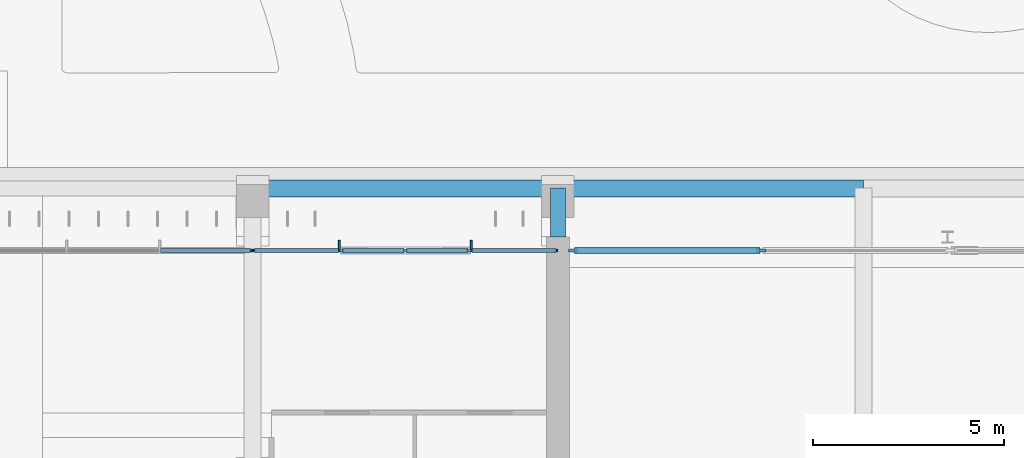
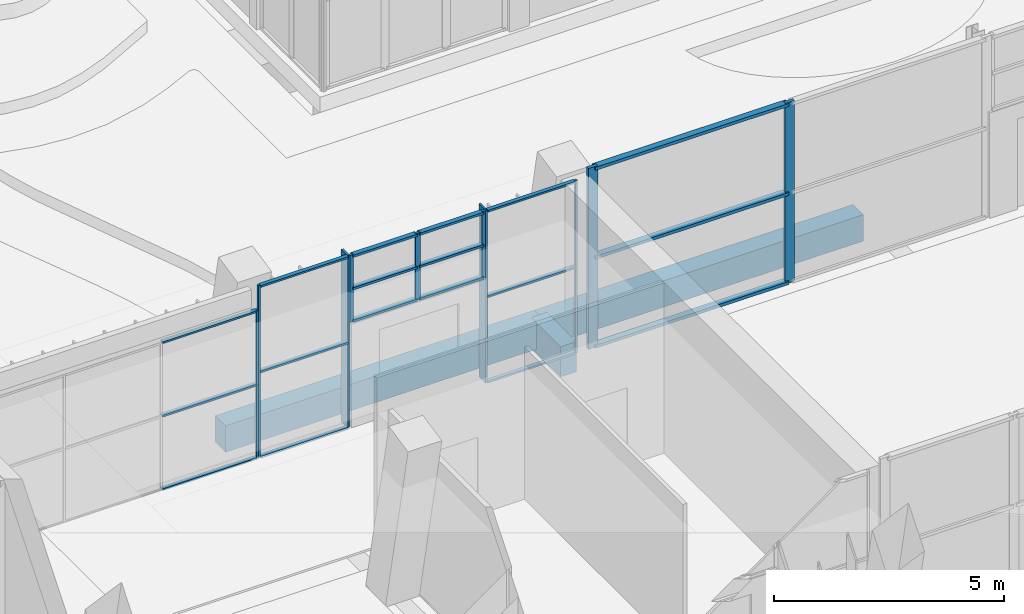
# One storey, part 52 of 144: 28 members, 3 beams, 5 elements without a shape of their own.
"""IFC4 building model written with IfcOpenShell, lengths in metres."""

from ifc_helpers import new_model, si_unit, direction, frame, origin, origin_2d, place, context, subcontext, project, spatial, rectangle, extrude, material, material_profile, profile_set, type_object, element, aggregate, save


model = new_model("IFC4")

# Units and contexts
model_context = context("Model", 3, precision=1e-05, world=origin(), true_north=direction((0.0, 1.0)))
body_context = subcontext(model_context, "Body", "Model", "MODEL_VIEW")
ifc_project = project(units=[si_unit("LENGTHUNIT", "METRE"), si_unit("AREAUNIT", "SQUARE_METRE"), si_unit("VOLUMEUNIT", "CUBIC_METRE"), si_unit("PLANEANGLEUNIT", "RADIAN"), si_unit("MASSUNIT", "GRAM", prefix="KILO")], contexts=[model_context])

# Site, building, storey
site_placement = place(None, origin())
site = spatial("IfcSite", under=ifc_project, at=site_placement, CompositionType="ELEMENT")
building_placement = place(site_placement, origin())
building = spatial("IfcBuilding", under=site, at=building_placement, Name="Lantern Court Media Centre", CompositionType="ELEMENT")
storey_placement = place(building_placement, origin())
storey = spatial("IfcBuildingStorey", under=building, at=storey_placement, Name="L00", CompositionType="ELEMENT", Elevation=0.0)

# Curtain wall, member
ifc_material_1 = material(Name="Curtain wall bay 2400")
curtain_wall_type_1 = type_object("IfcCurtainWallType", Name="Curtain wall bay 2400", PredefinedType="NOTDEFINED", material=ifc_material_1)
curtain_wall_1_placement = place(storey_placement, origin())
curtain_wall_1 = element("IfcCurtainWall", 1, at=curtain_wall_1_placement, inside=storey, type_object=curtain_wall_type_1, Name="Curtain wall S inner L00", PredefinedType="NOTDEFINED")
ifc_material_2 = material(Name="Anodised aluminium", Category="aluminium")
ifc_material_profile_1 = material_profile(ifc_material_2, rectangle(XDim=0.300048828125, YDim=0.050048828125, at=origin_2d()), Name="AL 50x300")
ifc_profile_set_1 = profile_set([ifc_material_profile_1], Name="Anodised aluminium")
member_type_1 = type_object("IfcMemberType", Name="Curtain wall mullion 50x300", PredefinedType="MULLION", material=ifc_profile_set_1)
member_1_placement = place(storey_placement, frame((34.27490234375, 61.969970703125, 0.0), z_axis=(0.0, 0.0, 1.0), x_axis=(0.0, 1.0, 0.0)))
member_1 = element("IfcMember", 2, at=member_1_placement, type_object=member_type_1, Name="CW2 mullion 2", PredefinedType="MULLION", context=body_context, shape_type="SweptSolid", body=[
    extrude(rectangle(XDim=0.300048828125, YDim=0.050048828125, at=origin_2d()), origin(), (0.0, 0.0, 1.0), 4.580078125),
])

curtain_wall_2_placement = place(storey_placement, origin())
curtain_wall_2 = element("IfcCurtainWall", 3, at=curtain_wall_2_placement, inside=storey, type_object=curtain_wall_type_1, Name="Curtain wall S inner L00", PredefinedType="NOTDEFINED")
member_2_placement = place(storey_placement, frame((37.72509765625, 61.969970703125, 0.0), z_axis=(0.0, 0.0, 1.0), x_axis=(0.0, 1.0, 0.0)))
member_2 = element("IfcMember", 4, at=member_2_placement, type_object=member_type_1, Name="CW2 mullion 1", PredefinedType="MULLION", context=body_context, shape_type="SweptSolid", body=[
    extrude(rectangle(XDim=0.300048828125, YDim=0.050048828125, at=origin_2d()), origin(), (0.0, 0.0, 1.0), 4.580078125),
])

curtain_wall_3_placement = place(storey_placement, origin())
curtain_wall_3 = element("IfcCurtainWall", 5, at=curtain_wall_3_placement, inside=storey, type_object=curtain_wall_type_1, Name="Curtain wall S inner L00", PredefinedType="NOTDEFINED")
ifc_material_profile_2 = material_profile(ifc_material_2, rectangle(XDim=0.06005859375, YDim=0.050048828125, at=origin_2d()), Name="AL 50x60")
ifc_profile_set_2 = profile_set([ifc_material_profile_2], Name="Anodised aluminium")
member_type_2 = type_object("IfcMemberType", Name="Curtain wall mullion 50x60", PredefinedType="MULLION", material=ifc_profile_set_2)
member_3_placement = place(storey_placement, frame((31.97509765625, 61.85009765625, 0.0), z_axis=(0.0, 0.0, 1.0), x_axis=(0.0, 1.0, 0.0)))
member_3 = element("IfcMember", 6, at=member_3_placement, type_object=member_type_2, Name="CW2 mullion 4", PredefinedType="MULLION", context=body_context, shape_type="SweptSolid", body=[
    extrude(rectangle(XDim=0.06005859375, YDim=0.050048828125, at=origin_2d()), origin(), (0.0, 0.0, 1.0), 3.949951171875),
])

# Member
member_4_placement = place(storey_placement, frame((32.02490234375, 61.85009765625, 0.0), z_axis=(0.0, 0.0, 1.0), x_axis=(0.0, 1.0, 0.0)))
member_4 = element("IfcMember", 7, at=member_4_placement, type_object=member_type_2, Name="CW2 mullion 1", PredefinedType="MULLION", context=body_context, shape_type="SweptSolid", body=[
    extrude(rectangle(XDim=0.06005859375, YDim=0.050048828125, at=origin_2d()), origin(), (0.0, 0.0, 1.0), 4.580078125),
])

member_5_placement = place(storey_placement, frame((39.97509765625, 61.85009765625, 0.0), z_axis=(0.0, 0.0, 1.0), x_axis=(0.0, 1.0, 0.0)))
member_5 = element("IfcMember", 8, at=member_5_placement, type_object=member_type_2, Name="CW2 mullion 2", PredefinedType="MULLION", context=body_context, shape_type="SweptSolid", body=[
    extrude(rectangle(XDim=0.06005859375, YDim=0.050048828125, at=origin_2d()), origin(), (0.0, 0.0, 1.0), 4.580078125),
])

# Curtain wall, members
ifc_material_3 = material(Name="Curtain wall bay 1700")
curtain_wall_type_2 = type_object("IfcCurtainWallType", Name="Curtain wall bay 1700", PredefinedType="NOTDEFINED", material=ifc_material_3)
curtain_wall_4_placement = place(storey_placement, origin())
curtain_wall_4 = element("IfcCurtainWall", 9, at=curtain_wall_4_placement, inside=storey, type_object=curtain_wall_type_2, Name="Curtain wall S inner L00", PredefinedType="NOTDEFINED")
ifc_material_profile_3 = material_profile(ifc_material_2, rectangle(XDim=0.06005859375, YDim=0.1201171875, at=origin_2d()), Name="AL 60x120")
ifc_profile_set_3 = profile_set([ifc_material_profile_3], Name="Anodised aluminium")
member_type_3 = type_object("IfcMemberType", Name="Curtain wall mullion 60x120", PredefinedType="MULLION", material=ifc_profile_set_3)
member_6_placement = place(storey_placement, frame((34.330078125, 61.85009765625, 2.800048828125), z_axis=(0.0, 0.0, 1.0), x_axis=(0.0, 1.0, 0.0)))
member_6 = element("IfcMember", 10, at=member_6_placement, type_object=member_type_3, Name="CW4 mullion 1", PredefinedType="MULLION", context=body_context, shape_type="SweptSolid", body=[
    extrude(rectangle(XDim=0.06005859375, YDim=0.1201171875, at=origin_2d()), origin(), (0.0, 0.0, 1.0), 1.780029296875),
])
member_7_placement = place(storey_placement, frame((36.0, 61.85009765625, 2.800048828125), z_axis=(0.0, 0.0, 1.0), x_axis=(0.0, 1.0, 0.0)))
member_7 = element("IfcMember", 11, at=member_7_placement, type_object=member_type_3, Name="CW4 mullion 2", PredefinedType="MULLION", context=body_context, shape_type="SweptSolid", body=[
    extrude(rectangle(XDim=0.06005859375, YDim=0.1201171875, at=origin_2d()), origin(), (0.0, 0.0, 1.0), 1.780029296875),
])
member_8_placement = place(storey_placement, frame((37.669921875, 61.85009765625, 2.800048828125), z_axis=(0.0, 0.0, 1.0), x_axis=(0.0, 1.0, 0.0)))
member_8 = element("IfcMember", 12, at=member_8_placement, type_object=member_type_3, Name="CW4 mullion 3", PredefinedType="MULLION", context=body_context, shape_type="SweptSolid", body=[
    extrude(rectangle(XDim=0.06005859375, YDim=0.1201171875, at=origin_2d()), origin(), (0.0, 0.0, 1.0), 1.780029296875),
])

ifc_material_4 = material(Name="Curtain wall bay 4000")
curtain_wall_type_3 = type_object("IfcCurtainWallType", Name="Curtain wall bay 4000", PredefinedType="NOTDEFINED", material=ifc_material_4)
curtain_wall_5_placement = place(storey_placement, origin())
curtain_wall_5 = element("IfcCurtainWall", 13, at=curtain_wall_5_placement, inside=storey, type_object=curtain_wall_type_3, Name="Curtain wall S inner L00", PredefinedType="NOTDEFINED")
ifc_material_profile_4 = material_profile(ifc_material_2, rectangle(XDim=0.080078125, YDim=0.239990234375, at=origin_2d()), Name="AL 80x240")
ifc_profile_set_4 = profile_set([ifc_material_profile_4], Name="Anodised aluminium")
member_type_4 = type_object("IfcMemberType", Name="Curtain wall mullion 80x240", PredefinedType="MULLION", material=ifc_profile_set_4)
member_9_placement = place(storey_placement, frame((40.389892578125, 61.85009765625, 0.0), z_axis=(0.0, 0.0, 1.0), x_axis=(0.0, 1.0, 0.0)))
member_9 = element("IfcMember", 14, at=member_9_placement, type_object=member_type_4, Name="CW3 mullion 1", PredefinedType="MULLION", context=body_context, shape_type="SweptSolid", body=[
    extrude(rectangle(XDim=0.080078125, YDim=0.239990234375, at=origin_2d()), origin(), (0.0, 0.0, 1.0), 4.800048828125),
])
member_10_placement = place(storey_placement, frame((45.324951171875, 61.85009765625, 0.0), z_axis=(0.0, 0.0, 1.0), x_axis=(0.0, 1.0, 0.0)))
member_10 = element("IfcMember", 15, at=member_10_placement, type_object=member_type_4, Name="CW3 mullion 2", PredefinedType="MULLION", context=body_context, shape_type="SweptSolid", body=[
    extrude(rectangle(XDim=0.080078125, YDim=0.239990234375, at=origin_2d()), origin(), (0.0, 0.0, 1.0), 4.800048828125),
])

# Member
ifc_material_profile_5 = material_profile(ifc_material_2, rectangle(XDim=0.10009765625, YDim=0.050048828125, at=origin_2d()), Name="AL 50x100")
ifc_profile_set_5 = profile_set([ifc_material_profile_5], Name="Anodised aluminium")
member_type_5 = type_object("IfcMemberType", Name="Curtain wall transom 100x50", PredefinedType="USERDEFINED", material=ifc_profile_set_5)
member_11_placement = place(storey_placement, frame((29.591552734375, 61.85009765625, 0.02490234375), z_axis=(1.0, 0.0, 0.0), x_axis=(0.0, 1.0, 0.0)))
member_11 = element("IfcMember", 16, at=member_11_placement, type_object=member_type_5, Name="CW2 transom 3.1", ObjectType="TRANSOM", PredefinedType="USERDEFINED", context=body_context, shape_type="SweptSolid", body=[
    extrude(rectangle(XDim=0.10009765625, YDim=0.050048828125, at=origin_2d()), origin(), (0.0, 0.0, 1.0), 2.3583984375),
])

member_12_placement = place(storey_placement, frame((29.591552734375, 61.85009765625, 1.97509765625), z_axis=(1.0, 0.0, 0.0), x_axis=(0.0, 1.0, 0.0)))
member_12 = element("IfcMember", 17, at=member_12_placement, type_object=member_type_5, Name="CW2 transom 3.2", ObjectType="TRANSOM", PredefinedType="USERDEFINED", context=body_context, shape_type="SweptSolid", body=[
    extrude(rectangle(XDim=0.10009765625, YDim=0.050048828125, at=origin_2d()), origin(), (0.0, 0.0, 1.0), 2.3583984375),
])

member_13_placement = place(storey_placement, frame((29.591552734375, 61.85009765625, 3.925048828125), z_axis=(1.0, 0.0, 0.0), x_axis=(0.0, 1.0, 0.0)))
member_13 = element("IfcMember", 18, at=member_13_placement, type_object=member_type_5, Name="CW2 transom 3.3", ObjectType="TRANSOM", PredefinedType="USERDEFINED", context=body_context, shape_type="SweptSolid", body=[
    extrude(rectangle(XDim=0.10009765625, YDim=0.050048828125, at=origin_2d()), origin(), (0.0, 0.0, 1.0), 2.3583984375),
])

aggregate(curtain_wall_3, [member_3, member_11, member_12, member_13])

member_14_placement = place(storey_placement, frame((32.050048828125, 61.85009765625, 0.02490234375), z_axis=(1.0, 0.0, 0.0), x_axis=(0.0, 1.0, 0.0)))
member_14 = element("IfcMember", 19, at=member_14_placement, type_object=member_type_5, Name="CW2 transom 1.1", ObjectType="TRANSOM", PredefinedType="USERDEFINED", context=body_context, shape_type="SweptSolid", body=[
    extrude(rectangle(XDim=0.10009765625, YDim=0.050048828125, at=origin_2d()), origin(), (0.0, 0.0, 1.0), 2.199951171875),
])

member_15_placement = place(storey_placement, frame((32.050048828125, 61.85009765625, 2.2900390625), z_axis=(1.0, 0.0, 0.0), x_axis=(0.0, 1.0, 0.0)))
member_15 = element("IfcMember", 20, at=member_15_placement, type_object=member_type_5, Name="CW2 transom 1.2", ObjectType="TRANSOM", PredefinedType="USERDEFINED", context=body_context, shape_type="SweptSolid", body=[
    extrude(rectangle(XDim=0.10009765625, YDim=0.050048828125, at=origin_2d()), origin(), (0.0, 0.0, 1.0), 2.199951171875),
])

member_16_placement = place(storey_placement, frame((32.050048828125, 61.85009765625, 4.554931640625), z_axis=(1.0, 0.0, 0.0), x_axis=(0.0, 1.0, 0.0)))
member_16 = element("IfcMember", 21, at=member_16_placement, type_object=member_type_5, Name="CW2 transom 1.3", ObjectType="TRANSOM", PredefinedType="USERDEFINED", context=body_context, shape_type="SweptSolid", body=[
    extrude(rectangle(XDim=0.10009765625, YDim=0.050048828125, at=origin_2d()), origin(), (0.0, 0.0, 1.0), 2.199951171875),
])

aggregate(curtain_wall_1, [member_4, member_1, member_14, member_15, member_16])

member_17_placement = place(storey_placement, frame((37.75, 61.85009765625, 0.02490234375), z_axis=(1.0, 0.0, 0.0), x_axis=(0.0, 1.0, 0.0)))
member_17 = element("IfcMember", 22, at=member_17_placement, type_object=member_type_5, Name="CW2 transom 1.1", ObjectType="TRANSOM", PredefinedType="USERDEFINED", context=body_context, shape_type="SweptSolid", body=[
    extrude(rectangle(XDim=0.10009765625, YDim=0.050048828125, at=origin_2d()), origin(), (0.0, 0.0, 1.0), 2.199951171875),
])

member_18_placement = place(storey_placement, frame((37.75, 61.85009765625, 2.2900390625), z_axis=(1.0, 0.0, 0.0), x_axis=(0.0, 1.0, 0.0)))
member_18 = element("IfcMember", 23, at=member_18_placement, type_object=member_type_5, Name="CW2 transom 1.2", ObjectType="TRANSOM", PredefinedType="USERDEFINED", context=body_context, shape_type="SweptSolid", body=[
    extrude(rectangle(XDim=0.10009765625, YDim=0.050048828125, at=origin_2d()), origin(), (0.0, 0.0, 1.0), 2.199951171875),
])

member_19_placement = place(storey_placement, frame((37.75, 61.85009765625, 4.554931640625), z_axis=(1.0, 0.0, 0.0), x_axis=(0.0, 1.0, 0.0)))
member_19 = element("IfcMember", 24, at=member_19_placement, type_object=member_type_5, Name="CW2 transom 1.3", ObjectType="TRANSOM", PredefinedType="USERDEFINED", context=body_context, shape_type="SweptSolid", body=[
    extrude(rectangle(XDim=0.10009765625, YDim=0.050048828125, at=origin_2d()), origin(), (0.0, 0.0, 1.0), 2.199951171875),
])

aggregate(curtain_wall_2, [member_2, member_5, member_17, member_18, member_19])

ifc_material_profile_6 = material_profile(ifc_material_2, rectangle(XDim=0.159912109375, YDim=0.080078125, at=origin_2d()), Name="AL 80x160")
ifc_profile_set_6 = profile_set([ifc_material_profile_6], Name="Anodised aluminium")
member_type_6 = type_object("IfcMemberType", Name="Curtain wall transom 160x80", PredefinedType="USERDEFINED", material=ifc_profile_set_6)
member_20_placement = place(storey_placement, frame((40.429931640625, 61.85009765625, 0.0400390625), z_axis=(1.0, 0.0, 0.0), x_axis=(0.0, 1.0, 0.0)))
member_20 = element("IfcMember", 25, at=member_20_placement, type_object=member_type_6, Name="CW3 transom 1.1", ObjectType="TRANSOM", PredefinedType="USERDEFINED", context=body_context, shape_type="SweptSolid", body=[
    extrude(rectangle(XDim=0.159912109375, YDim=0.080078125, at=origin_2d()), origin(), (0.0, 0.0, 1.0), 4.85498046875),
])

member_21_placement = place(storey_placement, frame((40.429931640625, 61.85009765625, 2.39990234375), z_axis=(1.0, 0.0, 0.0), x_axis=(0.0, 1.0, 0.0)))
member_21 = element("IfcMember", 26, at=member_21_placement, type_object=member_type_6, Name="CW3 transom 1.2", ObjectType="TRANSOM", PredefinedType="USERDEFINED", context=body_context, shape_type="SweptSolid", body=[
    extrude(rectangle(XDim=0.159912109375, YDim=0.080078125, at=origin_2d()), origin(), (0.0, 0.0, 1.0), 4.85498046875),
])

member_22_placement = place(storey_placement, frame((40.429931640625, 61.85009765625, 4.760009765625), z_axis=(1.0, 0.0, 0.0), x_axis=(0.0, 1.0, 0.0)))
member_22 = element("IfcMember", 27, at=member_22_placement, type_object=member_type_6, Name="CW3 transom 1.3", ObjectType="TRANSOM", PredefinedType="USERDEFINED", context=body_context, shape_type="SweptSolid", body=[
    extrude(rectangle(XDim=0.159912109375, YDim=0.080078125, at=origin_2d()), origin(), (0.0, 0.0, 1.0), 4.85498046875),
])

aggregate(curtain_wall_5, [member_9, member_10, member_20, member_21, member_22])

ifc_material_profile_7 = material_profile(ifc_material_2, rectangle(XDim=0.1201171875, YDim=0.06005859375, at=origin_2d()), Name="AL 60x120")
ifc_profile_set_7 = profile_set([ifc_material_profile_7], Name="Anodised aluminium")
member_type_7 = type_object("IfcMemberType", Name="Curtain wall transom 60x120", PredefinedType="USERDEFINED", material=ifc_profile_set_7)
member_23_placement = place(storey_placement, frame((34.360107421875, 61.85009765625, 2.830078125), z_axis=(1.0, 0.0, 0.0), x_axis=(0.0, 1.0, 0.0)))
member_23 = element("IfcMember", 28, at=member_23_placement, type_object=member_type_7, Name="CW4 transom 1.1", ObjectType="TRANSOM", PredefinedType="USERDEFINED", context=body_context, shape_type="SweptSolid", body=[
    extrude(rectangle(XDim=0.1201171875, YDim=0.06005859375, at=origin_2d()), origin(), (0.0, 0.0, 1.0), 1.60986328125),
])

member_24_placement = place(storey_placement, frame((34.360107421875, 61.85009765625, 3.68994140625), z_axis=(1.0, 0.0, 0.0), x_axis=(0.0, 1.0, 0.0)))
member_24 = element("IfcMember", 29, at=member_24_placement, type_object=member_type_7, Name="CW4 transom 1.2", ObjectType="TRANSOM", PredefinedType="USERDEFINED", context=body_context, shape_type="SweptSolid", body=[
    extrude(rectangle(XDim=0.1201171875, YDim=0.06005859375, at=origin_2d()), origin(), (0.0, 0.0, 1.0), 1.60986328125),
])

member_25_placement = place(storey_placement, frame((34.360107421875, 61.85009765625, 4.550048828125), z_axis=(1.0, 0.0, 0.0), x_axis=(0.0, 1.0, 0.0)))
member_25 = element("IfcMember", 30, at=member_25_placement, type_object=member_type_7, Name="CW4 transom 1.3", ObjectType="TRANSOM", PredefinedType="USERDEFINED", context=body_context, shape_type="SweptSolid", body=[
    extrude(rectangle(XDim=0.1201171875, YDim=0.06005859375, at=origin_2d()), origin(), (0.0, 0.0, 1.0), 1.60986328125),
])

member_26_placement = place(storey_placement, frame((36.030029296875, 61.85009765625, 2.830078125), z_axis=(1.0, 0.0, 0.0), x_axis=(0.0, 1.0, 0.0)))
member_26 = element("IfcMember", 31, at=member_26_placement, type_object=member_type_7, Name="CW4 transom 2.1", ObjectType="TRANSOM", PredefinedType="USERDEFINED", context=body_context, shape_type="SweptSolid", body=[
    extrude(rectangle(XDim=0.1201171875, YDim=0.06005859375, at=origin_2d()), origin(), (0.0, 0.0, 1.0), 1.60986328125),
])

member_27_placement = place(storey_placement, frame((36.030029296875, 61.85009765625, 3.68994140625), z_axis=(1.0, 0.0, 0.0), x_axis=(0.0, 1.0, 0.0)))
member_27 = element("IfcMember", 32, at=member_27_placement, type_object=member_type_7, Name="CW4 transom 2.2", ObjectType="TRANSOM", PredefinedType="USERDEFINED", context=body_context, shape_type="SweptSolid", body=[
    extrude(rectangle(XDim=0.1201171875, YDim=0.06005859375, at=origin_2d()), origin(), (0.0, 0.0, 1.0), 1.60986328125),
])

member_28_placement = place(storey_placement, frame((36.030029296875, 61.85009765625, 4.550048828125), z_axis=(1.0, 0.0, 0.0), x_axis=(0.0, 1.0, 0.0)))
member_28 = element("IfcMember", 33, at=member_28_placement, type_object=member_type_7, Name="CW4 transom 2.3", ObjectType="TRANSOM", PredefinedType="USERDEFINED", context=body_context, shape_type="SweptSolid", body=[
    extrude(rectangle(XDim=0.1201171875, YDim=0.06005859375, at=origin_2d()), origin(), (0.0, 0.0, 1.0), 1.60986328125),
])

aggregate(curtain_wall_4, [member_6, member_7, member_8, member_23, member_24, member_25, member_26, member_27, member_28])

# Beams
ifc_material_5 = material(Name="Concrete C35", Category="concrete")
ifc_material_profile_8 = material_profile(ifc_material_5, rectangle(XDim=0.39990234375, YDim=0.800048828125, at=origin_2d()), Name="RC 400x800")
ifc_profile_set_8 = profile_set([ifc_material_profile_8], Name="Concrete C35")
beam_type_1 = type_object("IfcBeamType", Name="RC BEAM 400x800", PredefinedType="BEAM", material=ifc_profile_set_8)
beam_placement = place(storey_placement, frame((40.0, 62.199951171875, -0.39990234375), z_axis=(0.0, 1.0, 0.0), x_axis=(-1.0, 0.0, 0.0)))
element("IfcBeam", 34, at=beam_placement, inside=storey, type_object=beam_type_1, Name="TB-S-L00-2-2", PredefinedType="BEAM", context=body_context, shape_type="SweptSolid", body=[
    extrude(rectangle(XDim=0.39990234375, YDim=0.800048828125, at=origin_2d()), origin(), (0.0, 0.0, 1.0), 1.283447265625),
])
ifc_material_profile_9 = material_profile(ifc_material_5, rectangle(XDim=0.449951171875, YDim=0.699951171875, at=origin_2d()), Name="RC 450x700")
ifc_profile_set_9 = profile_set([ifc_material_profile_9], Name="Concrete C35")
beam_type_2 = type_object("IfcBeamType", Name="RC BEAM 450x700", PredefinedType="BEAM", material=ifc_profile_set_9)
for number, where, z_axis, x_axis, name in (
    (35, (32.0, 63.472900390625, -0.35009765625), (1.0, 0.0, 0.0), (0.0, 1.0, 0.0), "LB-S-L00-2-1"),
    (36, (40.0, 63.472900390625, -0.35009765625), (1.0, 0.0, 0.0), (0.0, 1.0, 0.0), "LB-S-L00-2-2"),
):
    element("IfcBeam", number, at=place(storey_placement, frame(where, z_axis=z_axis, x_axis=x_axis)), inside=storey, type_object=beam_type_2, Name=name, PredefinedType="BEAM", context=body_context, shape_type="SweptSolid", body=[
        extrude(rectangle(XDim=0.449951171875, YDim=0.699951171875, at=origin_2d()), origin(), (0.0, 0.0, 1.0), 8.0),
    ])

save(model, "model.ifc")
